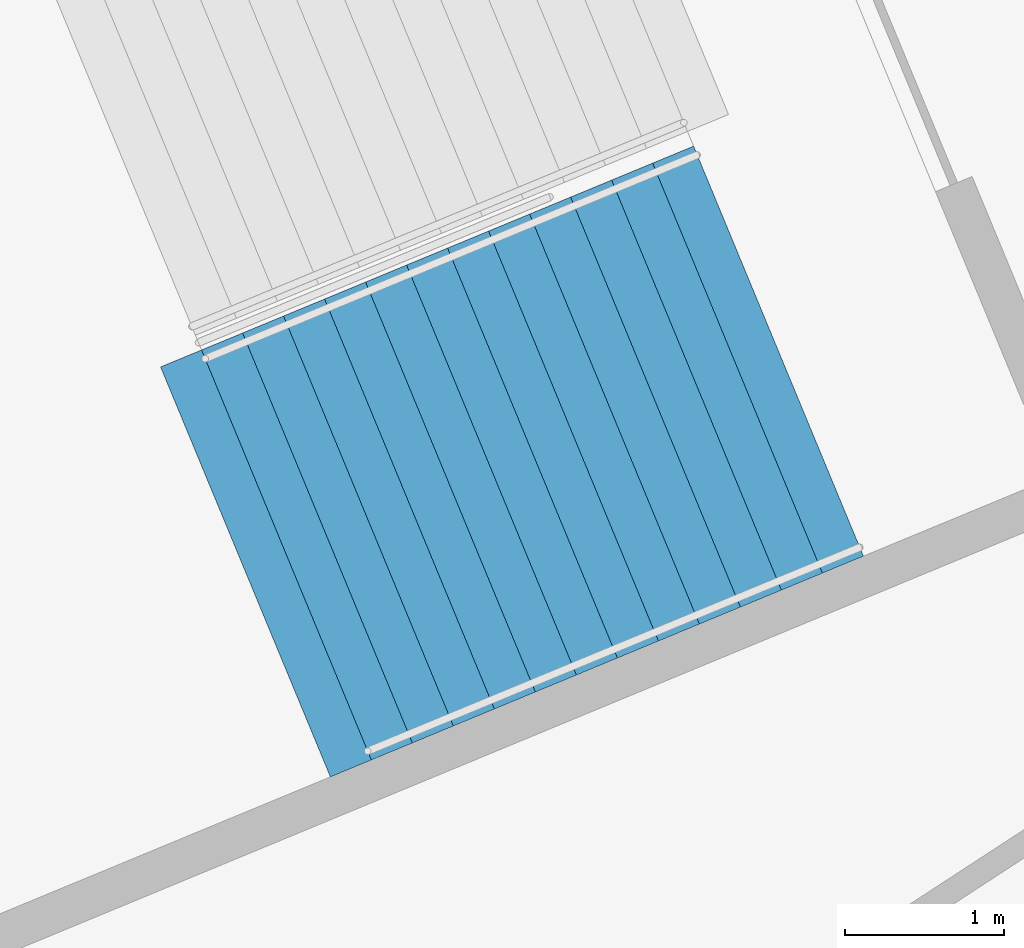
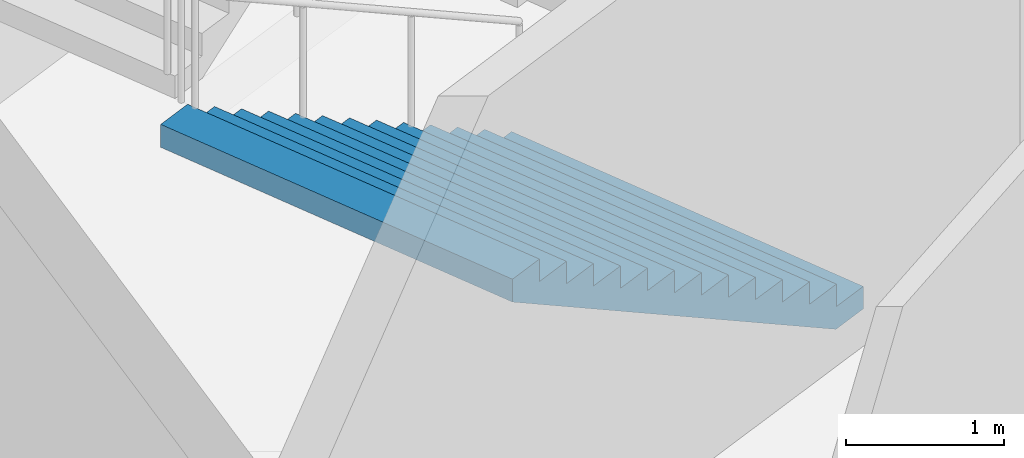
# One storey, part 47 of 175: 1 stair flight, 1 element without a shape of its own.
"""IFC4 building model written with IfcOpenShell, lengths in metres."""

from ifc_helpers import new_model, si_unit, direction, frame, origin, place, context, subcontext, project, spatial, faceted_brep, material, type_object, element, aggregate, save


model = new_model("IFC4")

# Units and contexts
model_context = context("Model", 3, precision=1e-05, world=origin(), true_north=direction((0.0, 1.0)))
body_context = subcontext(model_context, "Body", "Model", "MODEL_VIEW")
ifc_project = project(units=[si_unit("LENGTHUNIT", "METRE"), si_unit("AREAUNIT", "SQUARE_METRE"), si_unit("VOLUMEUNIT", "CUBIC_METRE"), si_unit("PLANEANGLEUNIT", "RADIAN"), si_unit("MASSUNIT", "GRAM", prefix="KILO")], contexts=[model_context])

# Site, building, storey
site_placement = place(None, origin())
site = spatial("IfcSite", under=ifc_project, at=site_placement, CompositionType="ELEMENT")
building_placement = place(site_placement, origin())
building = spatial("IfcBuilding", under=site, at=building_placement, Name="Ogive Plaza Stadium", CompositionType="ELEMENT")
storey_placement = place(building_placement, origin())
storey = spatial("IfcBuildingStorey", under=building, at=storey_placement, Name="L00", CompositionType="ELEMENT", Elevation=0.0)

# Stair, stair flight
ifc_material_1 = material(Name="Concrete C40/50", Category="concrete")
stair_type = type_object("IfcStairType", Name="Exit stair", PredefinedType="STRAIGHT_RUN_STAIR", material=ifc_material_1)
stair_placement = place(storey_placement, origin())
stair = element("IfcStair", 1, at=stair_placement, inside=storey, type_object=stair_type, Name="Exit stair ST20B L00 to L01", PredefinedType="STRAIGHT_RUN_STAIR")
ifc_material_2 = material(Name="Concrete C40/50", Category="concrete")
stair_flight_type = type_object("IfcStairFlightType", Name="Exit stair flight", PredefinedType="STRAIGHT", material=ifc_material_2)
stair_flight_placement = place(storey_placement, frame((-71.432861328125, -72.794921875, 0.0), z_axis=(0.0, 0.0, 1.0), x_axis=(-0.923879532511, -0.382683432365, 0.0)))
stair_flight = element("IfcStairFlight", 2, at=stair_flight_placement, type_object=stair_flight_type, Name="ST20B flight 1", NumberOfRisers=13, NumberOfTreads=12, PredefinedType="STRAIGHT", RiserHeight=0.173076923, TreadLength=0.28, context=body_context, shape_type="Brep", body=[
    faceted_brep([(0.28515625, -1.39990234375, 0.0), (3.639892578125, -1.39990234375, 2.07373046875), (3.639892578125, -1.39990234375, 2.25), (3.360107421875, -1.39990234375, 2.25), (3.360107421875, -1.39990234375, 2.076904296875), (3.080078125, -1.39990234375, 2.076904296875), (3.080078125, -1.39990234375, 1.90380859375), (2.800048828125, -1.39990234375, 1.90380859375), (2.800048828125, -1.39990234375, 1.730712890625), (2.52001953125, -1.39990234375, 1.730712890625), (2.52001953125, -1.39990234375, 1.5576171875), (2.239990234375, -1.39990234375, 1.5576171875), (2.239990234375, -1.39990234375, 1.384521484375), (1.9599609375, -1.39990234375, 1.384521484375), (1.9599609375, -1.39990234375, 1.21142578125), (1.679931640625, -1.39990234375, 1.21142578125), (1.679931640625, -1.39990234375, 1.03857421875), (1.39990234375, -1.39990234375, 1.03857421875), (1.39990234375, -1.39990234375, 0.865478515625), (1.1201171875, -1.39990234375, 0.865478515625), (1.1201171875, -1.39990234375, 0.6923828125), (0.840087890625, -1.39990234375, 0.6923828125), (0.840087890625, -1.39990234375, 0.519287109375), (0.56005859375, -1.39990234375, 0.519287109375), (0.56005859375, -1.39990234375, 0.34619140625), (0.280029296875, -1.39990234375, 0.34619140625), (0.280029296875, -1.39990234375, 0.173095703125), (0.0, -1.39990234375, 0.173095703125), (0.0, -1.39990234375, 0.0), (0.0, 1.39990234375, 0.0), (0.0, 1.39990234375, 0.173095703125), (0.280029296875, 1.39990234375, 0.173095703125), (0.280029296875, 1.39990234375, 0.34619140625), (0.56005859375, 1.39990234375, 0.34619140625), (0.56005859375, 1.39990234375, 0.519287109375), (0.840087890625, 1.39990234375, 0.519287109375), (0.840087890625, 1.39990234375, 0.6923828125), (1.1201171875, 1.39990234375, 0.6923828125), (1.1201171875, 1.39990234375, 0.865478515625), (1.39990234375, 1.39990234375, 0.865478515625), (1.39990234375, 1.39990234375, 1.03857421875), (1.679931640625, 1.39990234375, 1.03857421875), (1.679931640625, 1.39990234375, 1.21142578125), (1.9599609375, 1.39990234375, 1.21142578125), (1.9599609375, 1.39990234375, 1.384521484375), (2.239990234375, 1.39990234375, 1.384521484375), (2.239990234375, 1.39990234375, 1.5576171875), (2.52001953125, 1.39990234375, 1.5576171875), (2.52001953125, 1.39990234375, 1.730712890625), (2.800048828125, 1.39990234375, 1.730712890625), (2.800048828125, 1.39990234375, 1.90380859375), (3.080078125, 1.39990234375, 1.90380859375), (3.080078125, 1.39990234375, 2.076904296875), (3.360107421875, 1.39990234375, 2.076904296875), (3.360107421875, 1.39990234375, 2.25), (3.639892578125, 1.39990234375, 2.25), (3.639892578125, 1.39990234375, 2.07373046875), (0.28515625, 1.39990234375, 0.0), (0.28515625, -1.0888671875, 0.0), (3.639892578125, -1.0888671875, 2.07373046875), (0.28515625, -0.77783203125, 0.0), (3.639892578125, -0.77783203125, 2.07373046875), (0.28515625, -0.466796875, 0.0), (3.639892578125, -0.466796875, 2.07373046875), (0.28515625, -0.155517578125, 0.0), (3.639892578125, -0.155517578125, 2.07373046875), (0.28515625, 0.155517578125, 0.0), (3.639892578125, 0.155517578125, 2.07373046875), (0.28515625, 0.466796875, 0.0), (3.639892578125, 0.466796875, 2.07373046875), (0.28515625, 0.77783203125, 0.0), (3.639892578125, 0.77783203125, 2.07373046875), (0.28515625, 1.0888671875, 0.0), (3.639892578125, 1.0888671875, 2.07373046875), (3.639892578125, -1.0888671875, 2.25), (3.639892578125, -0.77783203125, 2.25), (3.639892578125, -0.466796875, 2.25), (3.639892578125, -0.155517578125, 2.25), (3.639892578125, 0.155517578125, 2.25), (3.639892578125, 0.466796875, 2.25), (3.639892578125, 0.77783203125, 2.25), (3.639892578125, 1.0888671875, 2.25), (3.360107421875, -1.0888671875, 2.25), (3.360107421875, -0.77783203125, 2.25), (3.360107421875, -0.466796875, 2.25), (3.360107421875, -0.155517578125, 2.25), (3.360107421875, 0.155517578125, 2.25), (3.360107421875, 0.466796875, 2.25), (3.360107421875, 0.77783203125, 2.25), (3.360107421875, 1.0888671875, 2.25), (3.360107421875, -1.0888671875, 2.076904296875), (3.360107421875, -0.77783203125, 2.076904296875), (3.360107421875, -0.466796875, 2.076904296875), (3.360107421875, -0.155517578125, 2.076904296875), (3.360107421875, 0.155517578125, 2.076904296875), (3.360107421875, 0.466796875, 2.076904296875), (3.360107421875, 0.77783203125, 2.076904296875), (3.360107421875, 1.0888671875, 2.076904296875), (3.080078125, -1.0888671875, 2.076904296875), (3.080078125, -0.77783203125, 2.076904296875), (3.080078125, -0.466796875, 2.076904296875), (3.080078125, -0.155517578125, 2.076904296875), (3.080078125, 0.155517578125, 2.076904296875), (3.080078125, 0.466796875, 2.076904296875), (3.080078125, 0.77783203125, 2.076904296875), (3.080078125, 1.0888671875, 2.076904296875), (3.080078125, -1.0888671875, 1.90380859375), (3.080078125, -0.77783203125, 1.90380859375), (3.080078125, -0.466796875, 1.90380859375), (3.080078125, -0.155517578125, 1.90380859375), (3.080078125, 0.155517578125, 1.90380859375), (3.080078125, 0.466796875, 1.90380859375), (3.080078125, 0.77783203125, 1.90380859375), (3.080078125, 1.0888671875, 1.90380859375), (2.800048828125, -1.0888671875, 1.90380859375), (2.800048828125, -0.77783203125, 1.90380859375), (2.800048828125, -0.466796875, 1.90380859375), (2.800048828125, -0.155517578125, 1.90380859375), (2.800048828125, 0.155517578125, 1.90380859375), (2.800048828125, 0.466796875, 1.90380859375), (2.800048828125, 0.77783203125, 1.90380859375), (2.800048828125, 1.0888671875, 1.90380859375), (2.800048828125, -1.0888671875, 1.730712890625), (2.800048828125, -0.77783203125, 1.730712890625), (2.800048828125, -0.466796875, 1.730712890625), (2.800048828125, -0.155517578125, 1.730712890625), (2.800048828125, 0.155517578125, 1.730712890625), (2.800048828125, 0.466796875, 1.730712890625), (2.800048828125, 0.77783203125, 1.730712890625), (2.800048828125, 1.0888671875, 1.730712890625), (2.52001953125, -1.0888671875, 1.730712890625), (2.52001953125, -0.77783203125, 1.730712890625), (2.52001953125, -0.466796875, 1.730712890625), (2.52001953125, -0.155517578125, 1.730712890625), (2.52001953125, 0.155517578125, 1.730712890625), (2.52001953125, 0.466796875, 1.730712890625), (2.52001953125, 0.77783203125, 1.730712890625), (2.52001953125, 1.0888671875, 1.730712890625), (2.52001953125, -1.0888671875, 1.5576171875), (2.52001953125, -0.77783203125, 1.5576171875), (2.52001953125, -0.466796875, 1.5576171875), (2.52001953125, -0.155517578125, 1.5576171875), (2.52001953125, 0.155517578125, 1.5576171875), (2.52001953125, 0.466796875, 1.5576171875), (2.52001953125, 0.77783203125, 1.5576171875), (2.52001953125, 1.0888671875, 1.5576171875), (2.239990234375, -1.0888671875, 1.5576171875), (2.239990234375, -0.77783203125, 1.5576171875), (2.239990234375, -0.466796875, 1.5576171875), (2.239990234375, -0.155517578125, 1.5576171875), (2.239990234375, 0.155517578125, 1.5576171875), (2.239990234375, 0.466796875, 1.5576171875), (2.239990234375, 0.77783203125, 1.5576171875), (2.239990234375, 1.0888671875, 1.5576171875), (2.239990234375, -1.0888671875, 1.384521484375), (2.239990234375, -0.77783203125, 1.384521484375), (2.239990234375, -0.466796875, 1.384521484375), (2.239990234375, -0.155517578125, 1.384521484375), (2.239990234375, 0.155517578125, 1.384521484375), (2.239990234375, 0.466796875, 1.384521484375), (2.239990234375, 0.77783203125, 1.384521484375), (2.239990234375, 1.0888671875, 1.384521484375), (1.9599609375, -1.0888671875, 1.384521484375), (1.9599609375, -0.77783203125, 1.384521484375), (1.9599609375, -0.466796875, 1.384521484375), (1.9599609375, -0.155517578125, 1.384521484375), (1.9599609375, 0.155517578125, 1.384521484375), (1.9599609375, 0.466796875, 1.384521484375), (1.9599609375, 0.77783203125, 1.384521484375), (1.9599609375, 1.0888671875, 1.384521484375), (1.9599609375, -1.0888671875, 1.21142578125), (1.9599609375, -0.77783203125, 1.21142578125), (1.9599609375, -0.466796875, 1.21142578125), (1.9599609375, -0.155517578125, 1.21142578125), (1.9599609375, 0.155517578125, 1.21142578125), (1.9599609375, 0.466796875, 1.21142578125), (1.9599609375, 0.77783203125, 1.21142578125), (1.9599609375, 1.0888671875, 1.21142578125), (1.679931640625, -1.0888671875, 1.21142578125), (1.679931640625, -0.77783203125, 1.21142578125), (1.679931640625, -0.466796875, 1.21142578125), (1.679931640625, -0.155517578125, 1.21142578125), (1.679931640625, 0.155517578125, 1.21142578125), (1.679931640625, 0.466796875, 1.21142578125), (1.679931640625, 0.77783203125, 1.21142578125), (1.679931640625, 1.0888671875, 1.21142578125), (1.679931640625, -1.0888671875, 1.03857421875), (1.679931640625, -0.77783203125, 1.03857421875), (1.679931640625, -0.466796875, 1.03857421875), (1.679931640625, -0.155517578125, 1.03857421875), (1.679931640625, 0.155517578125, 1.03857421875), (1.679931640625, 0.466796875, 1.03857421875), (1.679931640625, 0.77783203125, 1.03857421875), (1.679931640625, 1.0888671875, 1.03857421875), (1.39990234375, -1.0888671875, 1.03857421875), (1.39990234375, -0.77783203125, 1.03857421875), (1.39990234375, -0.466796875, 1.03857421875), (1.39990234375, -0.155517578125, 1.03857421875), (1.39990234375, 0.155517578125, 1.03857421875), (1.39990234375, 0.466796875, 1.03857421875), (1.39990234375, 0.77783203125, 1.03857421875), (1.39990234375, 1.0888671875, 1.03857421875), (1.39990234375, -1.0888671875, 0.865478515625), (1.39990234375, -0.77783203125, 0.865478515625), (1.39990234375, -0.466796875, 0.865478515625), (1.39990234375, -0.155517578125, 0.865478515625), (1.39990234375, 0.155517578125, 0.865478515625), (1.39990234375, 0.466796875, 0.865478515625), (1.39990234375, 0.77783203125, 0.865478515625), (1.39990234375, 1.0888671875, 0.865478515625), (1.1201171875, -1.0888671875, 0.865478515625), (1.1201171875, -0.77783203125, 0.865478515625), (1.1201171875, -0.466796875, 0.865478515625), (1.1201171875, -0.155517578125, 0.865478515625), (1.1201171875, 0.155517578125, 0.865478515625), (1.1201171875, 0.466796875, 0.865478515625), (1.1201171875, 0.77783203125, 0.865478515625), (1.1201171875, 1.0888671875, 0.865478515625), (1.1201171875, -1.0888671875, 0.6923828125), (1.1201171875, -0.77783203125, 0.6923828125), (1.1201171875, -0.466796875, 0.6923828125), (1.1201171875, -0.155517578125, 0.6923828125), (1.1201171875, 0.155517578125, 0.6923828125), (1.1201171875, 0.466796875, 0.6923828125), (1.1201171875, 0.77783203125, 0.6923828125), (1.1201171875, 1.0888671875, 0.6923828125), (0.840087890625, -1.0888671875, 0.6923828125), (0.840087890625, -0.77783203125, 0.6923828125), (0.840087890625, -0.466796875, 0.6923828125), (0.840087890625, -0.155517578125, 0.6923828125), (0.840087890625, 0.155517578125, 0.6923828125), (0.840087890625, 0.466796875, 0.6923828125), (0.840087890625, 0.77783203125, 0.6923828125), (0.840087890625, 1.0888671875, 0.6923828125), (0.840087890625, -1.0888671875, 0.519287109375), (0.840087890625, -0.77783203125, 0.519287109375), (0.840087890625, -0.466796875, 0.519287109375), (0.840087890625, -0.155517578125, 0.519287109375), (0.840087890625, 0.155517578125, 0.519287109375), (0.840087890625, 0.466796875, 0.519287109375), (0.840087890625, 0.77783203125, 0.519287109375), (0.840087890625, 1.0888671875, 0.519287109375), (0.56005859375, -1.0888671875, 0.519287109375), (0.56005859375, -0.77783203125, 0.519287109375), (0.56005859375, -0.466796875, 0.519287109375), (0.56005859375, -0.155517578125, 0.519287109375), (0.56005859375, 0.155517578125, 0.519287109375), (0.56005859375, 0.466796875, 0.519287109375), (0.56005859375, 0.77783203125, 0.519287109375), (0.56005859375, 1.0888671875, 0.519287109375), (0.56005859375, -1.0888671875, 0.34619140625), (0.56005859375, -0.77783203125, 0.34619140625), (0.56005859375, -0.466796875, 0.34619140625), (0.56005859375, -0.155517578125, 0.34619140625), (0.56005859375, 0.155517578125, 0.34619140625), (0.56005859375, 0.466796875, 0.34619140625), (0.56005859375, 0.77783203125, 0.34619140625), (0.56005859375, 1.0888671875, 0.34619140625), (0.280029296875, -1.0888671875, 0.34619140625), (0.280029296875, -0.77783203125, 0.34619140625), (0.280029296875, -0.466796875, 0.34619140625), (0.280029296875, -0.155517578125, 0.34619140625), (0.280029296875, 0.155517578125, 0.34619140625), (0.280029296875, 0.466796875, 0.34619140625), (0.280029296875, 0.77783203125, 0.34619140625), (0.280029296875, 1.0888671875, 0.34619140625), (0.280029296875, -1.0888671875, 0.173095703125), (0.280029296875, -0.77783203125, 0.173095703125), (0.280029296875, -0.466796875, 0.173095703125), (0.280029296875, -0.155517578125, 0.173095703125), (0.280029296875, 0.155517578125, 0.173095703125), (0.280029296875, 0.466796875, 0.173095703125), (0.280029296875, 0.77783203125, 0.173095703125), (0.280029296875, 1.0888671875, 0.173095703125), (0.0, -1.0888671875, 0.173095703125), (0.0, -0.77783203125, 0.173095703125), (0.0, -0.466796875, 0.173095703125), (0.0, -0.155517578125, 0.173095703125), (0.0, 0.155517578125, 0.173095703125), (0.0, 0.466796875, 0.173095703125), (0.0, 0.77783203125, 0.173095703125), (0.0, 1.0888671875, 0.173095703125), (0.0, -1.0888671875, 0.0), (0.0, -0.77783203125, 0.0), (0.0, -0.466796875, 0.0), (0.0, -0.155517578125, 0.0), (0.0, 0.155517578125, 0.0), (0.0, 0.466796875, 0.0), (0.0, 0.77783203125, 0.0), (0.0, 1.0888671875, 0.0)], [[[0, 1, 2, 3, 4, 5, 6, 7, 8, 9, 10, 11, 12, 13, 14, 15, 16, 17, 18, 19, 20, 21, 22, 23, 24, 25, 26, 27, 28]], [[29, 30, 31, 32, 33, 34, 35, 36, 37, 38, 39, 40, 41, 42, 43, 44, 45, 46, 47, 48, 49, 50, 51, 52, 53, 54, 55, 56, 57]], [[0, 58, 59, 1]], [[58, 60, 61, 59]], [[60, 62, 63, 61]], [[62, 64, 65, 63]], [[64, 66, 67, 65]], [[66, 68, 69, 67]], [[68, 70, 71, 69]], [[70, 72, 73, 71]], [[72, 57, 56, 73]], [[1, 59, 74, 2]], [[59, 61, 75, 74]], [[61, 63, 76, 75]], [[63, 65, 77, 76]], [[65, 67, 78, 77]], [[67, 69, 79, 78]], [[69, 71, 80, 79]], [[71, 73, 81, 80]], [[73, 56, 55, 81]], [[2, 74, 82, 3]], [[74, 75, 83, 82]], [[75, 76, 84, 83]], [[76, 77, 85, 84]], [[77, 78, 86, 85]], [[78, 79, 87, 86]], [[79, 80, 88, 87]], [[80, 81, 89, 88]], [[81, 55, 54, 89]], [[3, 82, 90, 4]], [[82, 83, 91, 90]], [[83, 84, 92, 91]], [[84, 85, 93, 92]], [[85, 86, 94, 93]], [[86, 87, 95, 94]], [[87, 88, 96, 95]], [[88, 89, 97, 96]], [[89, 54, 53, 97]], [[4, 90, 98, 5]], [[90, 91, 99, 98]], [[91, 92, 100, 99]], [[92, 93, 101, 100]], [[93, 94, 102, 101]], [[94, 95, 103, 102]], [[95, 96, 104, 103]], [[96, 97, 105, 104]], [[97, 53, 52, 105]], [[5, 98, 106, 6]], [[98, 99, 107, 106]], [[99, 100, 108, 107]], [[100, 101, 109, 108]], [[101, 102, 110, 109]], [[102, 103, 111, 110]], [[103, 104, 112, 111]], [[104, 105, 113, 112]], [[105, 52, 51, 113]], [[6, 106, 114, 7]], [[106, 107, 115, 114]], [[107, 108, 116, 115]], [[108, 109, 117, 116]], [[109, 110, 118, 117]], [[110, 111, 119, 118]], [[111, 112, 120, 119]], [[112, 113, 121, 120]], [[113, 51, 50, 121]], [[7, 114, 122, 8]], [[114, 115, 123, 122]], [[115, 116, 124, 123]], [[116, 117, 125, 124]], [[117, 118, 126, 125]], [[118, 119, 127, 126]], [[119, 120, 128, 127]], [[120, 121, 129, 128]], [[121, 50, 49, 129]], [[8, 122, 130, 9]], [[122, 123, 131, 130]], [[123, 124, 132, 131]], [[124, 125, 133, 132]], [[125, 126, 134, 133]], [[126, 127, 135, 134]], [[127, 128, 136, 135]], [[128, 129, 137, 136]], [[129, 49, 48, 137]], [[9, 130, 138, 10]], [[130, 131, 139, 138]], [[131, 132, 140, 139]], [[132, 133, 141, 140]], [[133, 134, 142, 141]], [[134, 135, 143, 142]], [[135, 136, 144, 143]], [[136, 137, 145, 144]], [[137, 48, 47, 145]], [[10, 138, 146, 11]], [[138, 139, 147, 146]], [[139, 140, 148, 147]], [[140, 141, 149, 148]], [[141, 142, 150, 149]], [[142, 143, 151, 150]], [[143, 144, 152, 151]], [[144, 145, 153, 152]], [[145, 47, 46, 153]], [[11, 146, 154, 12]], [[146, 147, 155, 154]], [[147, 148, 156, 155]], [[148, 149, 157, 156]], [[149, 150, 158, 157]], [[150, 151, 159, 158]], [[151, 152, 160, 159]], [[152, 153, 161, 160]], [[153, 46, 45, 161]], [[12, 154, 162, 13]], [[154, 155, 163, 162]], [[155, 156, 164, 163]], [[156, 157, 165, 164]], [[157, 158, 166, 165]], [[158, 159, 167, 166]], [[159, 160, 168, 167]], [[160, 161, 169, 168]], [[161, 45, 44, 169]], [[13, 162, 170, 14]], [[162, 163, 171, 170]], [[163, 164, 172, 171]], [[164, 165, 173, 172]], [[165, 166, 174, 173]], [[166, 167, 175, 174]], [[167, 168, 176, 175]], [[168, 169, 177, 176]], [[169, 44, 43, 177]], [[14, 170, 178, 15]], [[170, 171, 179, 178]], [[171, 172, 180, 179]], [[172, 173, 181, 180]], [[173, 174, 182, 181]], [[174, 175, 183, 182]], [[175, 176, 184, 183]], [[176, 177, 185, 184]], [[177, 43, 42, 185]], [[15, 178, 186, 16]], [[178, 179, 187, 186]], [[179, 180, 188, 187]], [[180, 181, 189, 188]], [[181, 182, 190, 189]], [[182, 183, 191, 190]], [[183, 184, 192, 191]], [[184, 185, 193, 192]], [[185, 42, 41, 193]], [[16, 186, 194, 17]], [[186, 187, 195, 194]], [[187, 188, 196, 195]], [[188, 189, 197, 196]], [[189, 190, 198, 197]], [[190, 191, 199, 198]], [[191, 192, 200, 199]], [[192, 193, 201, 200]], [[193, 41, 40, 201]], [[17, 194, 202, 18]], [[194, 195, 203, 202]], [[195, 196, 204, 203]], [[196, 197, 205, 204]], [[197, 198, 206, 205]], [[198, 199, 207, 206]], [[199, 200, 208, 207]], [[200, 201, 209, 208]], [[201, 40, 39, 209]], [[18, 202, 210, 19]], [[202, 203, 211, 210]], [[203, 204, 212, 211]], [[204, 205, 213, 212]], [[205, 206, 214, 213]], [[206, 207, 215, 214]], [[207, 208, 216, 215]], [[208, 209, 217, 216]], [[209, 39, 38, 217]], [[19, 210, 218, 20]], [[210, 211, 219, 218]], [[211, 212, 220, 219]], [[212, 213, 221, 220]], [[213, 214, 222, 221]], [[214, 215, 223, 222]], [[215, 216, 224, 223]], [[216, 217, 225, 224]], [[217, 38, 37, 225]], [[20, 218, 226, 21]], [[218, 219, 227, 226]], [[219, 220, 228, 227]], [[220, 221, 229, 228]], [[221, 222, 230, 229]], [[222, 223, 231, 230]], [[223, 224, 232, 231]], [[224, 225, 233, 232]], [[225, 37, 36, 233]], [[21, 226, 234, 22]], [[226, 227, 235, 234]], [[227, 228, 236, 235]], [[228, 229, 237, 236]], [[229, 230, 238, 237]], [[230, 231, 239, 238]], [[231, 232, 240, 239]], [[232, 233, 241, 240]], [[233, 36, 35, 241]], [[22, 234, 242, 23]], [[234, 235, 243, 242]], [[235, 236, 244, 243]], [[236, 237, 245, 244]], [[237, 238, 246, 245]], [[238, 239, 247, 246]], [[239, 240, 248, 247]], [[240, 241, 249, 248]], [[241, 35, 34, 249]], [[23, 242, 250, 24]], [[242, 243, 251, 250]], [[243, 244, 252, 251]], [[244, 245, 253, 252]], [[245, 246, 254, 253]], [[246, 247, 255, 254]], [[247, 248, 256, 255]], [[248, 249, 257, 256]], [[249, 34, 33, 257]], [[24, 250, 258, 25]], [[250, 251, 259, 258]], [[251, 252, 260, 259]], [[252, 253, 261, 260]], [[253, 254, 262, 261]], [[254, 255, 263, 262]], [[255, 256, 264, 263]], [[256, 257, 265, 264]], [[257, 33, 32, 265]], [[25, 258, 266, 26]], [[258, 259, 267, 266]], [[259, 260, 268, 267]], [[260, 261, 269, 268]], [[261, 262, 270, 269]], [[262, 263, 271, 270]], [[263, 264, 272, 271]], [[264, 265, 273, 272]], [[265, 32, 31, 273]], [[26, 266, 274, 27]], [[266, 267, 275, 274]], [[267, 268, 276, 275]], [[268, 269, 277, 276]], [[269, 270, 278, 277]], [[270, 271, 279, 278]], [[271, 272, 280, 279]], [[272, 273, 281, 280]], [[273, 31, 30, 281]], [[27, 274, 282, 28]], [[274, 275, 283, 282]], [[275, 276, 284, 283]], [[276, 277, 285, 284]], [[277, 278, 286, 285]], [[278, 279, 287, 286]], [[279, 280, 288, 287]], [[280, 281, 289, 288]], [[281, 30, 29, 289]], [[28, 282, 58, 0]], [[282, 283, 60, 58]], [[283, 284, 62, 60]], [[284, 285, 64, 62]], [[285, 286, 66, 64]], [[286, 287, 68, 66]], [[287, 288, 70, 68]], [[288, 289, 72, 70]], [[289, 29, 57, 72]]]),
])
aggregate(stair, [stair_flight])

save(model, "model.ifc")
